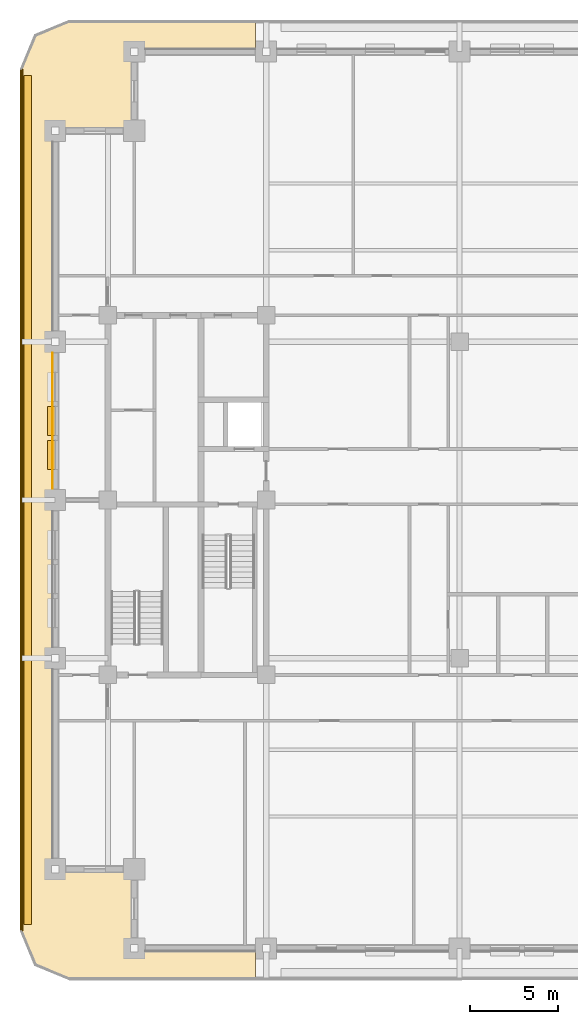
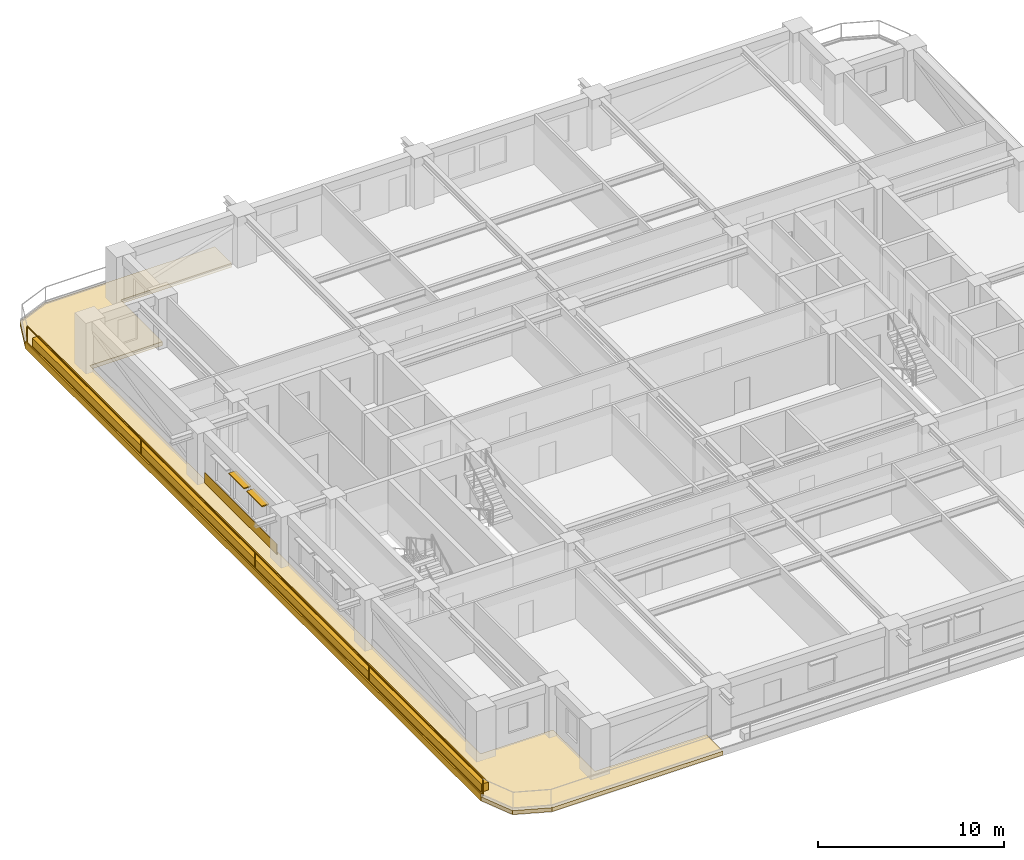
# One storey, part 10 of 14: 4 coverings, 2 shading devices, 1 railing.
"""IFC4 building model written with IfcOpenShell, lengths in metres."""

from ifc_helpers import new_model, si_unit, direction, frame, frame_2d, origin, origin_2d, place, context, subcontext, project, spatial, polyline, rectangle, outline, extrude, material, layer, layer_set, type_object, element, save


model = new_model("IFC4")

# Units and contexts
model_context = context("Model", 3, precision=1e-05, world=origin(), true_north=direction((0.0, 1.0)))
body_context = subcontext(model_context, "Body", "Model", "MODEL_VIEW")
ifc_project = project(units=[si_unit("LENGTHUNIT", "METRE"), si_unit("AREAUNIT", "SQUARE_METRE"), si_unit("VOLUMEUNIT", "CUBIC_METRE"), si_unit("PLANEANGLEUNIT", "RADIAN"), si_unit("MASSUNIT", "GRAM", prefix="KILO")], contexts=[model_context])

# Site, building, storey
site_placement = place(None, origin())
site = spatial("IfcSite", under=ifc_project, at=site_placement, CompositionType="ELEMENT")
building_placement = place(site_placement, origin())
building = spatial("IfcBuilding", under=site, at=building_placement, Name="Zulmaris Gate Convention Tower", CompositionType="ELEMENT")
storey_placement = place(building_placement, frame((0.0, 0.0, 98.5)))
storey = spatial("IfcBuildingStorey", under=building, at=storey_placement, Name="L24", CompositionType="ELEMENT", Elevation=98.5)

# Coverings
ifc_material_1 = material(Name="Precast concrete C40/50", Category="concrete")
ifc_layer_1 = layer(ifc_material_1, 0.0400390625, Name="Precast concrete C40/50")
ifc_layer_set_1 = layer_set([ifc_layer_1], Name="Precast concrete C40/50")
covering_type_1 = type_object("IfcCoveringType", Name="CLAD-SPANDREL-PRECAST", PredefinedType="CLADDING", material=ifc_layer_set_1)
covering_1_placement = place(storey_placement, frame((-23.14990234375, 8.3701171875, 0.0), z_axis=(0.0, 0.0, 1.0), x_axis=(0.0, -1.0, 0.0)))
element("IfcCovering", 1, at=covering_1_placement, inside=storey, type_object=covering_type_1, Name="CLD-L24-W-2_0", PredefinedType="CLADDING", context=body_context, shape_type="SweptSolid", body=[
    extrude(rectangle(XDim=7.740234375, YDim=0.0400390625, at=frame_2d((3.8701171875, 0.0))), origin(), (0.0, 0.0, 1.0), 0.679931640625),
])
ifc_material_2 = material(Name="White Glazed Architectural Precast Concrete C40/50", Category="concrete")
ifc_layer_2 = layer(ifc_material_2, 0.239990234375, Name="White Glazed Architectural Precast Concrete C40/50")
ifc_layer_set_2 = layer_set([ifc_layer_2], Name="White Glazed Architectural Precast Concrete C40/50")
covering_type_2 = type_object("IfcCoveringType", Name="CLAD-TRAY-DECK", PredefinedType="CLADDING", material=ifc_layer_set_2)
covering_2_placement = place(storey_placement, frame((0.0, 0.0, -0.27490234375)))
element("IfcCovering", 2, at=covering_2_placement, inside=storey, type_object=covering_type_2, Name="L24 West Rounded-Fascia Planter Tray Deck", PredefinedType="CLADDING", context=body_context, shape_type="SweptSolid", body=[
    extrude(outline(polyline([(-25.0, 24.5), (-24.179931640625, 26.47998046875), (-22.199951171875, 27.300048828125), (-11.60205078125, 27.300048828125), (-11.60205078125, 25.5), (-18.5, 25.5), (-18.5, 21.0), (-23.0, 21.0), (-23.0, -21.0), (-18.5, -21.0), (-18.5, -25.5), (-11.60205078125, -25.5), (-11.60205078125, -27.300048828125), (-22.199951171875, -27.300048828125), (-24.179931640625, -26.47998046875), (-25.0, -24.5), (-25.0, 24.5)])), origin(), (0.0, 0.0, 1.0), 0.260009765625),
])
ifc_layer_3 = layer(ifc_material_2, 0.080078125, Name="White Glazed Architectural Precast Concrete C40/50")
ifc_layer_set_3 = layer_set([ifc_layer_3], Name="White Glazed Architectural Precast Concrete C40/50")
covering_type_3 = type_object("IfcCoveringType", Name="CLAD-TRAY-FASCIA", PredefinedType="CLADDING", material=ifc_layer_set_3)
covering_3_placement = place(storey_placement, frame((-24.9599609375, 24.5, -0.31494140625), z_axis=(0.0, 0.0, 1.0), x_axis=(0.0, -1.0, 0.0)))
element("IfcCovering", 3, at=covering_3_placement, inside=storey, type_object=covering_type_3, Name="FSC-L24-TR-11", PredefinedType="CLADDING", context=body_context, shape_type="SweptSolid", body=[
    extrude(rectangle(XDim=49.0, YDim=0.080078125, at=frame_2d((24.5, 0.0))), origin(), (0.0, 0.0, 1.0), 0.4599609375),
])
ifc_material_3 = material(Name="Botanical Green Glazed Precast Concrete C40/50", Category="concrete")
ifc_layer_4 = layer(ifc_material_3, 0.419921875, Name="Botanical Green Glazed Precast Concrete C40/50")
ifc_layer_set_4 = layer_set([ifc_layer_4], Name="Botanical Green Glazed Precast Concrete C40/50")
covering_type_4 = type_object("IfcCoveringType", Name="PLANTER-BOX-200", PredefinedType="CLADDING", material=ifc_layer_set_4)
covering_4_placement = place(storey_placement, frame((0.0, 0.0, -0.014892578125)))
element("IfcCovering", 4, at=covering_4_placement, inside=storey, type_object=covering_type_4, Name="L24 W Full-Length Balcony Tree Planter Trough", PredefinedType="CLADDING", context=body_context, shape_type="SweptSolid", body=[
    extrude(outline(polyline([(-24.760009765625, -24.14990234375), (-24.340087890625, -24.14990234375), (-24.340087890625, 24.14990234375), (-24.760009765625, 24.14990234375), (-24.760009765625, -24.14990234375)])), origin(), (0.0, 0.0, 1.0), 0.519775390625),
])

# Railing
ifc_material_4 = material(Name="Laminated Glass and Stainless Steel", Category="steel")
railing_type = type_object("IfcRailingType", Name="RL-BALC-1150", PredefinedType="BALUSTRADE", material=ifc_material_4)
railing_placement = place(storey_placement, frame((-24.8798828125, 24.5, -0.014892578125)))
element("IfcRailing", 5, at=railing_placement, inside=storey, type_object=railing_type, Name="RL-L24-BALC-W", PredefinedType="BALUSTRADE", context=body_context, shape_type="SweptSolid", body=[
    extrude(rectangle(XDim=0.048095703125, YDim=0.048095703125, at=origin_2d()), frame((0.0, 0.0, 1.1259765625), z_axis=(0.0, -1.0, 0.0), x_axis=(1.0, 0.0, 0.0)), (0.0, 0.0, 1.0), 49.0),
    extrude(rectangle(XDim=0.048095703125, YDim=0.048095703125, at=origin_2d()), frame((0.0, 0.0, 0.02392578125), z_axis=(0.0, -1.0, 0.0), x_axis=(1.0, 0.0, 0.0)), (0.0, 0.0, 1.0), 49.0),
    extrude(rectangle(XDim=0.0419921875, YDim=0.0419921875, at=origin_2d()), origin(), (0.0, 0.0, 1.0), 1.101806640625),
    extrude(rectangle(XDim=0.0419921875, YDim=0.0419921875, at=origin_2d()), frame((0.0, -12.25, 0.0)), (0.0, 0.0, 1.0), 1.101806640625),
    extrude(rectangle(XDim=0.0419921875, YDim=0.0419921875, at=origin_2d()), frame((0.0, -24.5, 0.0)), (0.0, 0.0, 1.0), 1.101806640625),
    extrude(rectangle(XDim=0.0419921875, YDim=0.0419921875, at=origin_2d()), frame((0.0, -36.75, 0.0)), (0.0, 0.0, 1.0), 1.101806640625),
    extrude(rectangle(XDim=0.0419921875, YDim=0.0419921875, at=origin_2d()), frame((0.0, -49.0, 0.0)), (0.0, 0.0, 1.0), 1.101806640625),
])

# Shading devices
ifc_material_5 = material(Name="Glazed Ceramic Terracotta", Category="masonry")
ifc_layer_5 = layer(ifc_material_5, 0.070068359375, Name="Glazed Ceramic Terracotta")
ifc_layer_set_5 = layer_set([ifc_layer_5], Name="Glazed Ceramic Terracotta")
shading_device_type = type_object("IfcShadingDeviceType", Name="SHD-SUNSHADE-TC", PredefinedType="AWNING", material=ifc_layer_set_5)
for number, where, z_axis, x_axis, name in (
    (6, (-23.219970703125, 5.324951171875, 2.530029296875), (0.0, 0.0, 1.0), (0.0, -1.0, 0.0), "SHD-EW-L24-W-2_0-2"),
    (7, (-23.219970703125, 3.389892578125, 2.530029296875), (0.0, 0.0, 1.0), (0.0, -1.0, 0.0), "SHD-EW-L24-W-2_0-3"),
):
    element("IfcShadingDevice", number, at=place(storey_placement, frame(where, z_axis=z_axis, x_axis=x_axis)), inside=storey, type_object=shading_device_type, Name=name, PredefinedType="AWNING", context=body_context, shape_type="SweptSolid", body=[
        extrude(rectangle(XDim=1.64990234375, YDim=0.43994140625, at=frame_2d((0.824951171875, 0.0))), origin(), (0.0, 0.0, 1.0), 0.070068359375),
    ])

save(model, "model.ifc")
